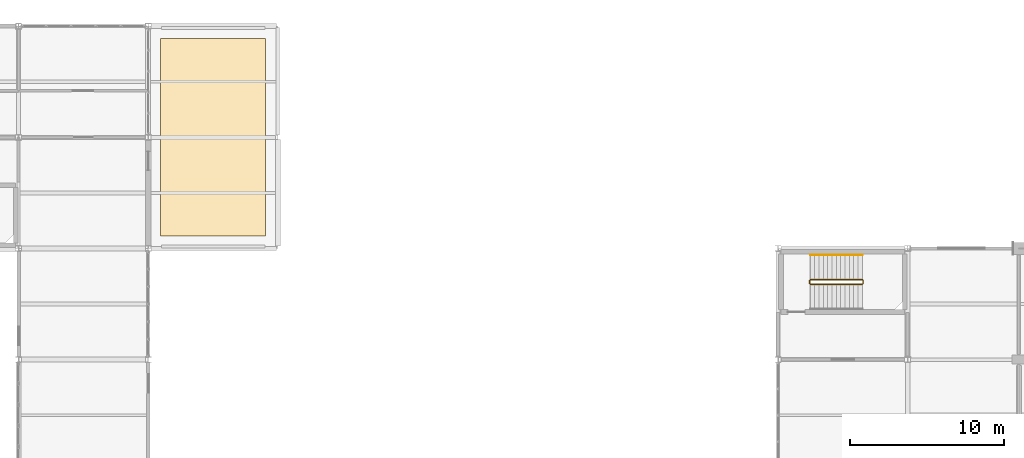
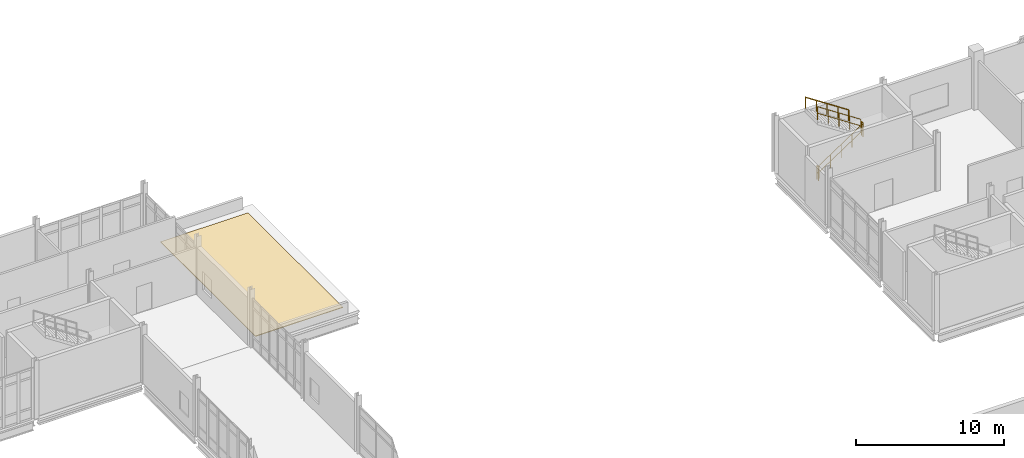
# One storey, part 181 of 186: 5 railings, 1 covering.
"""IFC4 building model written with IfcOpenShell, lengths in metres."""

from ifc_helpers import new_model, si_unit, direction, frame, origin, origin_2d, place, context, subcontext, project, spatial, polyline, circle, outline, extrude, material, layer, layer_set, type_object, element, save


model = new_model("IFC4")

# Units and contexts
model_context = context("Model", 3, precision=1e-05, world=origin(), true_north=direction((0.0, 1.0)))
body_context = subcontext(model_context, "Body", "Model", "MODEL_VIEW")
ifc_project = project(units=[si_unit("LENGTHUNIT", "METRE"), si_unit("AREAUNIT", "SQUARE_METRE"), si_unit("VOLUMEUNIT", "CUBIC_METRE"), si_unit("PLANEANGLEUNIT", "RADIAN"), si_unit("MASSUNIT", "GRAM", prefix="KILO")], contexts=[model_context])

# Site, building, storey
site_placement = place(None, origin())
site = spatial("IfcSite", under=ifc_project, at=site_placement, CompositionType="ELEMENT")
building_placement = place(site_placement, origin())
building = spatial("IfcBuilding", under=site, at=building_placement, Name="Calvrana Isthmian Art Gallery", CompositionType="ELEMENT")
storey_placement = place(building_placement, frame((0.0, 0.0, 5.39990234375)))
storey = spatial("IfcBuildingStorey", under=building, at=storey_placement, Name="L01", CompositionType="ELEMENT", Elevation=5.39990234375)

# Covering
ifc_material_1 = material(Name="Standing-seam zinc-aluminium roofing", Category="aluminium")
ifc_layer = layer(ifc_material_1, 0.050048828125, Name="Standing-seam zinc-aluminium roofing")
ifc_layer_set = layer_set([ifc_layer], Name="Standing-seam zinc-aluminium roofing")
covering_type = type_object("IfcCoveringType", Name="COV-ROOF-ZINC", PredefinedType="ROOFING", material=ifc_layer_set)
covering_placement = place(storey_placement, origin())
element("IfcCovering", 1, at=covering_placement, inside=storey, type_object=covering_type, Name="Insulated roof membrane ROOF_V6NE_L01", PredefinedType="ROOFING", context=body_context, shape_type="SweptSolid", body=[
    extrude(outline(polyline([(64.39990234375, 99.199951171875), (71.199951171875, 99.199951171875), (71.199951171875, 112.0), (64.39990234375, 112.0), (64.39990234375, 99.199951171875)])), origin(), (0.0, 0.0, 1.0), 0.050048828125),
])

# Railings
ifc_material_2 = material(Name="Stainless steel 316", Category="steel")
railing_type_1 = type_object("IfcRailingType", Name="RL-GUARD-1120", PredefinedType="BALUSTRADE", material=ifc_material_2)
railing_1_placement = place(storey_placement, frame((106.5, 96.080078125, 0.184814453125)))
element("IfcRailing", 2, at=railing_1_placement, inside=storey, type_object=railing_type_1, Name="Stair ST-8 guard L01-1", PredefinedType="BALUSTRADE", context=body_context, shape_type="SweptSolid", body=[
    extrude(circle(Radius=0.02392578125, at=origin_2d()), frame((0.0, 0.0, 1.09619140625), z_axis=(0.834876476806, 0.0, 0.550437342915), x_axis=(0.0, 1.0, 0.0)), (0.0, 0.0, 1.0), 4.024658203125),
    extrude(circle(Radius=0.02392578125, at=origin_2d()), frame((0.0, 0.0, 0.56005859375), z_axis=(0.834876476806, 0.0, 0.550437342915), x_axis=(0.0, 1.0, 0.0)), (0.0, 0.0, 1.0), 4.024658203125),
    extrude(circle(Radius=0.02099609375, at=origin_2d()), origin(), (0.0, 0.0, 1.0), 1.072021484375),
    extrude(circle(Radius=0.02099609375, at=origin_2d()), frame((0.840087890625, 0.0, 0.5537109375)), (0.0, 0.0, 1.0), 1.072021484375),
    extrude(circle(Radius=0.02099609375, at=origin_2d()), frame((1.68017578125, 0.0, 1.107666015625)), (0.0, 0.0, 1.0), 1.072021484375),
    extrude(circle(Radius=0.02099609375, at=origin_2d()), frame((2.52001953125, 0.0, 1.66162109375)), (0.0, 0.0, 1.0), 1.072021484375),
    extrude(circle(Radius=0.02099609375, at=origin_2d()), frame((3.360107421875, 0.0, 2.21533203125)), (0.0, 0.0, 1.0), 1.072021484375),
])
railing_2_placement = place(storey_placement, frame((109.909912109375, 96.1298828125, 2.400146484375)))
element("IfcRailing", 3, at=railing_2_placement, inside=storey, type_object=railing_type_1, Name="Stair ST-8 guard L01-2", PredefinedType="BALUSTRADE", context=body_context, shape_type="SweptSolid", body=[
    extrude(circle(Radius=0.02392578125, at=origin_2d()), frame((0.0, 0.0, 1.09619140625), z_axis=(0.0, 1.0, 0.0), x_axis=(-1.0, 0.0, 0.0)), (0.0, 0.0, 1.0), 0.2001953125),
    extrude(circle(Radius=0.02392578125, at=origin_2d()), frame((0.0, 0.0, 0.56005859375), z_axis=(0.0, 1.0, 0.0), x_axis=(-1.0, 0.0, 0.0)), (0.0, 0.0, 1.0), 0.2001953125),
    extrude(circle(Radius=0.02099609375, at=origin_2d()), origin(), (0.0, 0.0, 1.0), 1.072021484375),
    extrude(circle(Radius=0.02099609375, at=origin_2d()), frame((0.0, 0.2001953125, 0.0)), (0.0, 0.0, 1.0), 1.072021484375),
])
railing_3_placement = place(storey_placement, frame((109.860107421875, 96.3798828125, 2.584716796875)))
element("IfcRailing", 4, at=railing_3_placement, inside=storey, type_object=railing_type_1, Name="Stair ST-8 guard L01-3", PredefinedType="BALUSTRADE", context=body_context, shape_type="SweptSolid", body=[
    extrude(circle(Radius=0.02392578125, at=origin_2d()), frame((0.0, 0.0, 1.09619140625), z_axis=(-0.834876476806, 0.0, 0.550437342915), x_axis=(0.0, -1.0, 0.0)), (0.0, 0.0, 1.0), 4.024658203125),
    extrude(circle(Radius=0.02392578125, at=origin_2d()), frame((0.0, 0.0, 0.56005859375), z_axis=(-0.834876476806, 0.0, 0.550437342915), x_axis=(0.0, -1.0, 0.0)), (0.0, 0.0, 1.0), 4.024658203125),
    extrude(circle(Radius=0.02099609375, at=origin_2d()), origin(), (0.0, 0.0, 1.0), 1.072021484375),
    extrude(circle(Radius=0.02099609375, at=origin_2d()), frame((-0.840087890625, 0.0, 0.5537109375)), (0.0, 0.0, 1.0), 1.072021484375),
    extrude(circle(Radius=0.02099609375, at=origin_2d()), frame((-1.68017578125, 0.0, 1.107666015625)), (0.0, 0.0, 1.0), 1.072021484375),
    extrude(circle(Radius=0.02099609375, at=origin_2d()), frame((-2.52001953125, 0.0, 1.66162109375)), (0.0, 0.0, 1.0), 1.072021484375),
    extrude(circle(Radius=0.02099609375, at=origin_2d()), frame((-3.360107421875, 0.0, 2.21533203125)), (0.0, 0.0, 1.0), 1.072021484375),
])
railing_4_placement = place(storey_placement, frame((106.449951171875, 96.1298828125, 0.0)))
element("IfcRailing", 5, at=railing_4_placement, inside=storey, type_object=railing_type_1, Name="Stair ST-8 guard L01-4", PredefinedType="BALUSTRADE", context=body_context, shape_type="SweptSolid", body=[
    extrude(circle(Radius=0.02392578125, at=origin_2d()), frame((0.0, 0.0, 1.09619140625), z_axis=(0.0, 1.0, 0.0), x_axis=(-1.0, 0.0, 0.0)), (0.0, 0.0, 1.0), 0.2001953125),
    extrude(circle(Radius=0.02392578125, at=origin_2d()), frame((0.0, 0.0, 0.56005859375), z_axis=(0.0, 1.0, 0.0), x_axis=(-1.0, 0.0, 0.0)), (0.0, 0.0, 1.0), 0.2001953125),
    extrude(circle(Radius=0.02099609375, at=origin_2d()), origin(), (0.0, 0.0, 1.0), 1.072021484375),
    extrude(circle(Radius=0.02099609375, at=origin_2d()), frame((0.0, 0.2001953125, 0.0)), (0.0, 0.0, 1.0), 1.072021484375),
])
railing_type_2 = type_object("IfcRailingType", Name="RL-HAND-920", PredefinedType="HANDRAIL", material=ifc_material_2)
railing_5_placement = place(storey_placement, frame((109.860107421875, 97.97998046875, 2.584716796875)))
element("IfcRailing", 6, at=railing_5_placement, inside=storey, type_object=railing_type_2, Name="Stair ST-8 handrail L01-2", PredefinedType="HANDRAIL", context=body_context, shape_type="SweptSolid", body=[
    extrude(circle(Radius=0.02392578125, at=origin_2d()), frame((0.0, 0.0, 0.89599609375), z_axis=(-0.834876476806, 0.0, 0.550437342915), x_axis=(0.0, -1.0, 0.0)), (0.0, 0.0, 1.0), 4.024658203125),
    extrude(circle(Radius=0.02099609375, at=origin_2d()), origin(), (0.0, 0.0, 1.0), 0.871826171875),
    extrude(circle(Radius=0.02099609375, at=origin_2d()), frame((-0.840087890625, 0.0, 0.5537109375)), (0.0, 0.0, 1.0), 0.871826171875),
    extrude(circle(Radius=0.02099609375, at=origin_2d()), frame((-1.68017578125, 0.0, 1.107666015625)), (0.0, 0.0, 1.0), 0.871826171875),
    extrude(circle(Radius=0.02099609375, at=origin_2d()), frame((-2.52001953125, 0.0, 1.66162109375)), (0.0, 0.0, 1.0), 0.871826171875),
    extrude(circle(Radius=0.02099609375, at=origin_2d()), frame((-3.360107421875, 0.0, 2.21533203125)), (0.0, 0.0, 1.0), 0.871826171875),
])

save(model, "model.ifc")
